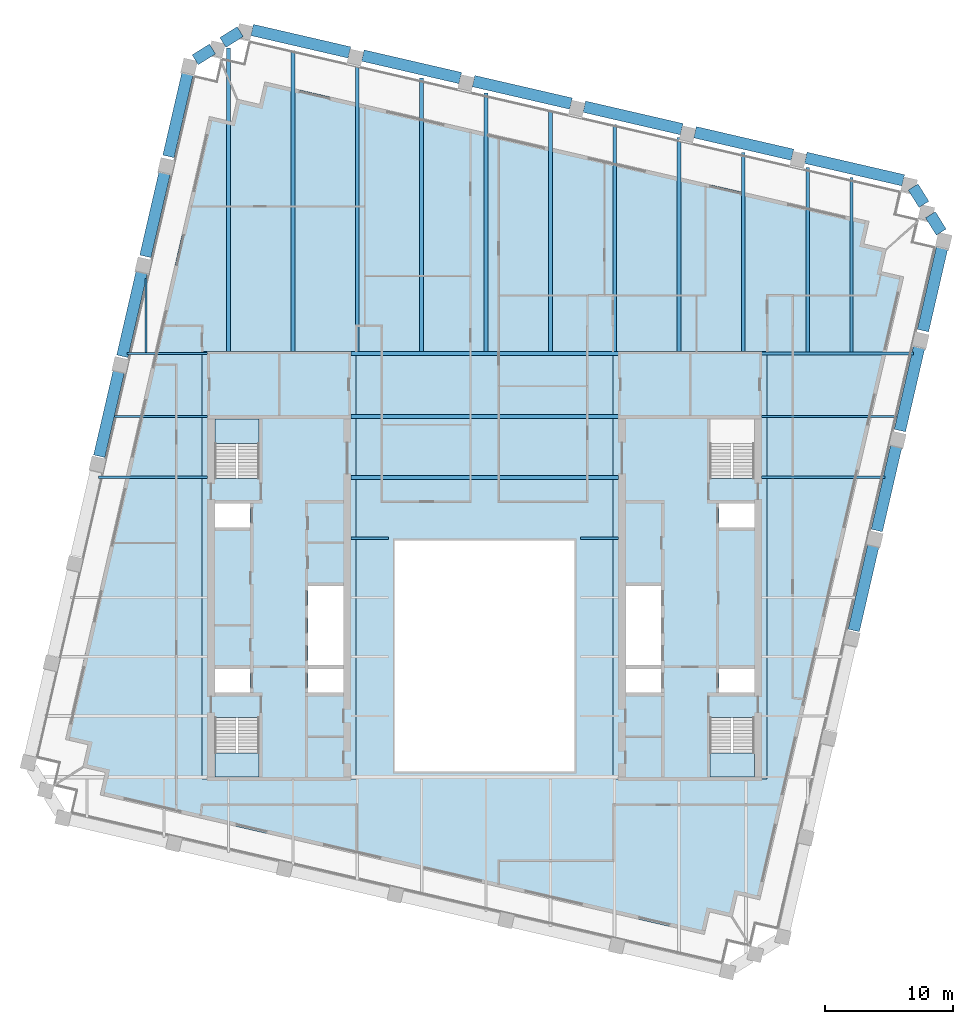
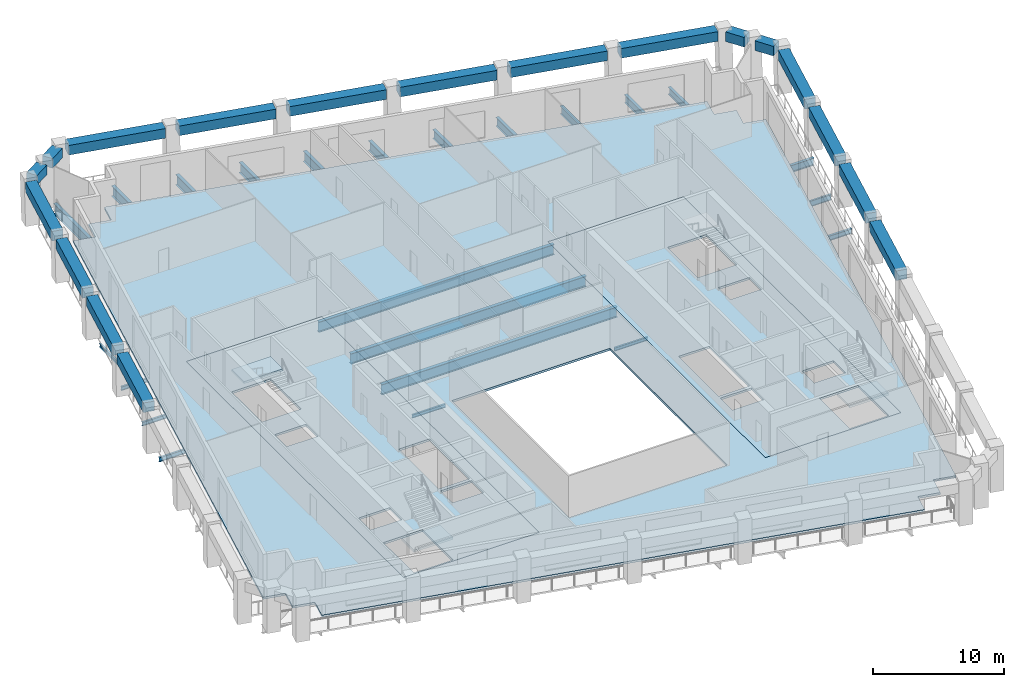
# One storey, part 2 of 11: 41 beams, 6 slabs, 3 elements without a shape of their own.
"""IFC4 building model written with IfcOpenShell, lengths in metres."""

from ifc_helpers import new_model, si_unit, direction, frame, origin, origin_2d, place, context, subcontext, project, spatial, polyline, rectangle, i_section, outline, extrude, material, layer, layer_set, material_profile, profile_set, type_object, element, aggregate, save


model = new_model("IFC4")

# Units and contexts
model_context = context("Model", 3, precision=1e-05, world=origin(), true_north=direction((0.0, 1.0)))
body_context = subcontext(model_context, "Body", "Model", "MODEL_VIEW")
ifc_project = project(units=[si_unit("LENGTHUNIT", "METRE"), si_unit("AREAUNIT", "SQUARE_METRE"), si_unit("VOLUMEUNIT", "CUBIC_METRE"), si_unit("PLANEANGLEUNIT", "RADIAN"), si_unit("MASSUNIT", "GRAM", prefix="KILO")], contexts=[model_context])

# Site, building, storey
site_placement = place(None, origin())
site = spatial("IfcSite", under=ifc_project, at=site_placement, CompositionType="ELEMENT")
building_placement = place(site_placement, origin())
building = spatial("IfcBuilding", under=site, at=building_placement, Name="Ogive Exchange Tower", CompositionType="ELEMENT")
storey_placement = place(building_placement, frame((0.0, 0.0, 247.199951171875)))
storey = spatial("IfcBuildingStorey", under=building, at=storey_placement, Name="L53", CompositionType="ELEMENT", Elevation=247.199951171875)

# Beams
ifc_material_1 = material(Name="Steel ASTM A992 Gr50", Category="steel")
ifc_material_profile_1 = material_profile(ifc_material_1, i_section(OverallWidth=0.300048828125, OverallDepth=0.969970703125, WebThickness=0.01611328125, FlangeThickness=0.02099609375, at=origin_2d()), Name="W1000x222")
ifc_profile_set_1 = profile_set([ifc_material_profile_1], Name="Steel ASTM A992 Gr50")
beam_type_1 = type_object("IfcBeamType", Name="Floor beam W1000x222", PredefinedType="JOIST", material=ifc_profile_set_1)
beam_1_placement = place(storey_placement, frame((0.104248046875, 30.695068359375, -0.68505859375), z_axis=(0.0, 1.0, 0.0), x_axis=(-1.0, 0.0, 0.0)))
element("IfcBeam", 1, at=beam_1_placement, inside=storey, type_object=beam_type_1, Name="Floor beam", PredefinedType="JOIST", context=body_context, shape_type="SweptSolid", body=[
    extrude(i_section(OverallWidth=0.300048828125, OverallDepth=0.969970703125, WebThickness=0.01611328125, FlangeThickness=0.02099609375, at=origin_2d()), origin(), (0.0, 0.0, 1.0), 20.133544921875),
])
ifc_material_profile_2 = material_profile(ifc_material_1, i_section(OverallWidth=0.300048828125, OverallDepth=0.97998046875, WebThickness=0.0166015625, FlangeThickness=0.026123046875, at=origin_2d()), Name="W1000x249")
ifc_profile_set_2 = profile_set([ifc_material_profile_2], Name="Steel ASTM A992 Gr50")
beam_type_2 = type_object("IfcBeamType", Name="Floor beam W1000x249", PredefinedType="JOIST", material=ifc_profile_set_2)
for number, where, z_axis, x_axis, name in (
    (2, (-10.419921875, 20.89990234375, -0.68994140625), (1.0, 0.0, 0.0), (0.0, 1.0, 0.0), "Floor beam"),
    (3, (-10.419921875, 25.64501953125, -0.68994140625), (1.0, 0.0, 0.0), (0.0, 1.0, 0.0), "Floor beam"),
):
    element("IfcBeam", number, at=place(storey_placement, frame(where, z_axis=z_axis, x_axis=x_axis)), inside=storey, type_object=beam_type_2, Name=name, PredefinedType="JOIST", context=body_context, shape_type="SweptSolid", body=[
        extrude(i_section(OverallWidth=0.300048828125, OverallDepth=0.97998046875, WebThickness=0.0166015625, FlangeThickness=0.026123046875, at=origin_2d()), origin(), (0.0, 0.0, 1.0), 20.83984375),
    ])
beam_2_placement = place(storey_placement, frame((-19.943115234375, 30.699951171875, -0.68994140625), z_axis=(0.0, 1.0, 0.0), x_axis=(-1.0, 0.0, 0.0)))
element("IfcBeam", 4, at=beam_2_placement, inside=storey, type_object=beam_type_2, Name="Floor beam", PredefinedType="JOIST", context=body_context, shape_type="SweptSolid", body=[
    extrude(i_section(OverallWidth=0.300048828125, OverallDepth=0.97998046875, WebThickness=0.0166015625, FlangeThickness=0.026123046875, at=origin_2d()), origin(), (0.0, 0.0, 1.0), 23.6328125),
])
beam_3_placement = place(storey_placement, frame((-14.931396484375, 30.699951171875, -0.68994140625), z_axis=(0.0, 1.0, 0.0), x_axis=(-1.0, 0.0, 0.0)))
element("IfcBeam", 5, at=beam_3_placement, inside=storey, type_object=beam_type_2, Name="Floor beam", PredefinedType="JOIST", context=body_context, shape_type="SweptSolid", body=[
    extrude(i_section(OverallWidth=0.300048828125, OverallDepth=0.97998046875, WebThickness=0.0166015625, FlangeThickness=0.026123046875, at=origin_2d()), origin(), (0.0, 0.0, 1.0), 23.449951171875),
])
beam_4_placement = place(storey_placement, frame((-9.91943359375, 30.695068359375, -0.68994140625), z_axis=(0.0, 1.0, 0.0), x_axis=(-1.0, 0.0, 0.0)))
element("IfcBeam", 6, at=beam_4_placement, inside=storey, type_object=beam_type_2, Name="Floor beam", PredefinedType="JOIST", context=body_context, shape_type="SweptSolid", body=[
    extrude(i_section(OverallWidth=0.300048828125, OverallDepth=0.97998046875, WebThickness=0.0166015625, FlangeThickness=0.026123046875, at=origin_2d()), origin(), (0.0, 0.0, 1.0), 22.297607421875),
])
beam_5_placement = place(storey_placement, frame((-4.90771484375, 30.695068359375, -0.68994140625), z_axis=(0.0, 1.0, 0.0), x_axis=(-1.0, 0.0, 0.0)))
element("IfcBeam", 7, at=beam_5_placement, inside=storey, type_object=beam_type_2, Name="Floor beam", PredefinedType="JOIST", context=body_context, shape_type="SweptSolid", body=[
    extrude(i_section(OverallWidth=0.300048828125, OverallDepth=0.97998046875, WebThickness=0.0166015625, FlangeThickness=0.026123046875, at=origin_2d()), origin(), (0.0, 0.0, 1.0), 21.29052734375),
])
ifc_material_profile_3 = material_profile(ifc_material_1, i_section(OverallWidth=0.1650390625, OverallDepth=0.31005859375, WebThickness=0.005859375, FlangeThickness=0.009765625, at=origin_2d()), Name="W310x38.7")
ifc_profile_set_3 = profile_set([ifc_material_profile_3], Name="Steel ASTM A992 Gr50")
beam_type_3 = type_object("IfcBeamType", Name="Floor beam W310x38.7", PredefinedType="JOIST", material=ifc_profile_set_3)
beam_6_placement = place(storey_placement, frame((-26.35498046875, 30.630615234375, -0.35498046875), z_axis=(0.0, 1.0, 0.0), x_axis=(-1.0, 0.0, 0.0)))
element("IfcBeam", 8, at=beam_6_placement, inside=storey, type_object=beam_type_3, Name="Floor beam", PredefinedType="JOIST", context=body_context, shape_type="SweptSolid", body=[
    extrude(i_section(OverallWidth=0.1650390625, OverallDepth=0.31005859375, WebThickness=0.005859375, FlangeThickness=0.009765625, at=origin_2d()), origin(), (0.0, 0.0, 1.0), 5.7421875),
])
ifc_material_profile_4 = material_profile(ifc_material_1, i_section(OverallWidth=0.1708984375, OverallDepth=0.35595703125, WebThickness=0.00732421875, FlangeThickness=0.01171875, at=origin_2d()), Name="W360x51")
ifc_profile_set_4 = profile_set([ifc_material_profile_4], Name="Steel ASTM A992 Gr50")
beam_type_4 = type_object("IfcBeamType", Name="Floor beam W360x51", PredefinedType="JOIST", material=ifc_profile_set_4)
beam_7_placement = place(storey_placement, frame((-28.831787109375, 25.64501953125, -0.3779296875), z_axis=(1.0, 0.0, 0.0), x_axis=(0.0, 1.0, 0.0)))
element("IfcBeam", 9, at=beam_7_placement, inside=storey, type_object=beam_type_4, Name="Floor beam", PredefinedType="JOIST", context=body_context, shape_type="SweptSolid", body=[
    extrude(i_section(OverallWidth=0.1708984375, OverallDepth=0.35595703125, WebThickness=0.00732421875, FlangeThickness=0.01171875, at=origin_2d()), origin(), (0.0, 0.0, 1.0), 7.251708984375),
])
ifc_material_profile_5 = material_profile(ifc_material_1, i_section(OverallWidth=0.177978515625, OverallDepth=0.406005859375, WebThickness=0.0078125, FlangeThickness=0.0126953125, at=origin_2d()), Name="W410x60")
ifc_profile_set_5 = profile_set([ifc_material_profile_5], Name="Steel ASTM A992 Gr50")
beam_type_5 = type_object("IfcBeamType", Name="Floor beam W410x60", PredefinedType="JOIST", material=ifc_profile_set_5)
beam_8_placement = place(storey_placement, frame((-30.0771484375, 20.89990234375, -0.40283203125), z_axis=(1.0, 0.0, 0.0), x_axis=(0.0, 1.0, 0.0)))
element("IfcBeam", 10, at=beam_8_placement, inside=storey, type_object=beam_type_5, Name="Floor beam", PredefinedType="JOIST", context=body_context, shape_type="SweptSolid", body=[
    extrude(i_section(OverallWidth=0.177978515625, OverallDepth=0.406005859375, WebThickness=0.0078125, FlangeThickness=0.0126953125, at=origin_2d()), origin(), (0.0, 0.0, 1.0), 8.4970703125),
])
ifc_material_profile_6 = material_profile(ifc_material_1, i_section(OverallWidth=0.19189453125, OverallDepth=0.4619140625, WebThickness=0.010498046875, FlangeThickness=0.017578125, at=origin_2d()), Name="W460x89")
ifc_profile_set_6 = profile_set([ifc_material_profile_6], Name="Steel ASTM A992 Gr50")
beam_type_6 = type_object("IfcBeamType", Name="Floor beam W460x89", PredefinedType="JOIST", material=ifc_profile_set_6)
beam_9_placement = place(storey_placement, frame((21.580078125, 20.89990234375, -0.430908203125), z_axis=(1.0, 0.0, 0.0), x_axis=(0.0, 1.0, 0.0)))
element("IfcBeam", 11, at=beam_9_placement, inside=storey, type_object=beam_type_6, Name="Floor beam", PredefinedType="JOIST", context=body_context, shape_type="SweptSolid", body=[
    extrude(i_section(OverallWidth=0.19189453125, OverallDepth=0.4619140625, WebThickness=0.010498046875, FlangeThickness=0.017578125, at=origin_2d()), origin(), (0.0, 0.0, 1.0), 9.605224609375),
])
ifc_material_profile_7 = material_profile(ifc_material_1, i_section(OverallWidth=0.1669921875, OverallDepth=0.535888671875, WebThickness=0.01025390625, FlangeThickness=0.0166015625, at=origin_2d()), Name="W530x85")
ifc_profile_set_7 = profile_set([ifc_material_profile_7], Name="Steel ASTM A992 Gr50")
beam_type_7 = type_object("IfcBeamType", Name="Floor beam W530x85", PredefinedType="JOIST", material=ifc_profile_set_7)
beam_10_placement = place(storey_placement, frame((21.580078125, 25.64501953125, -0.468017578125), z_axis=(1.0, 0.0, 0.0), x_axis=(0.0, 1.0, 0.0)))
element("IfcBeam", 12, at=beam_10_placement, inside=storey, type_object=beam_type_7, Name="Floor beam", PredefinedType="JOIST", context=body_context, shape_type="SweptSolid", body=[
    extrude(i_section(OverallWidth=0.1669921875, OverallDepth=0.535888671875, WebThickness=0.01025390625, FlangeThickness=0.0166015625, at=origin_2d()), origin(), (0.0, 0.0, 1.0), 10.55078125),
])
ifc_material_profile_8 = material_profile(ifc_material_1, i_section(OverallWidth=0.25390625, OverallDepth=0.677978515625, WebThickness=0.01171875, FlangeThickness=0.016357421875, at=origin_2d()), Name="W690x125")
ifc_profile_set_8 = profile_set([ifc_material_profile_8], Name="Steel ASTM A992 Gr50")
beam_type_8 = type_object("IfcBeamType", Name="Floor beam W690x125", PredefinedType="JOIST", material=ifc_profile_set_8)
beam_11_placement = place(storey_placement, frame((28.575439453125, 30.672119140625, -0.5390625), z_axis=(0.0, 1.0, 0.0), x_axis=(-1.0, 0.0, 0.0)))
element("IfcBeam", 13, at=beam_11_placement, inside=storey, type_object=beam_type_8, Name="Floor beam", PredefinedType="JOIST", context=body_context, shape_type="SweptSolid", body=[
    extrude(i_section(OverallWidth=0.25390625, OverallDepth=0.677978515625, WebThickness=0.01171875, FlangeThickness=0.016357421875, at=origin_2d()), origin(), (0.0, 0.0, 1.0), 13.583251953125),
])
ifc_material_profile_9 = material_profile(ifc_material_1, i_section(OverallWidth=0.26708984375, OverallDepth=0.75390625, WebThickness=0.01318359375, FlangeThickness=0.01708984375, at=origin_2d()), Name="W760x147")
ifc_profile_set_9 = profile_set([ifc_material_profile_9], Name="Steel ASTM A992 Gr50")
beam_type_9 = type_object("IfcBeamType", Name="Floor beam W760x147", PredefinedType="JOIST", material=ifc_profile_set_9)
beam_12_placement = place(storey_placement, frame((20.151611328125, 30.699951171875, -0.576904296875), z_axis=(0.0, 1.0, 0.0), x_axis=(-1.0, 0.0, 0.0)))
element("IfcBeam", 14, at=beam_12_placement, inside=storey, type_object=beam_type_9, Name="Floor beam", PredefinedType="JOIST", context=body_context, shape_type="SweptSolid", body=[
    extrude(i_section(OverallWidth=0.26708984375, OverallDepth=0.75390625, WebThickness=0.01318359375, FlangeThickness=0.01708984375, at=origin_2d()), origin(), (0.0, 0.0, 1.0), 15.500244140625),
])
beam_13_placement = place(storey_placement, frame((25.16357421875, 30.672119140625, -0.576904296875), z_axis=(0.0, 1.0, 0.0), x_axis=(-1.0, 0.0, 0.0)))
element("IfcBeam", 15, at=beam_13_placement, inside=storey, type_object=beam_type_9, Name="Floor beam", PredefinedType="JOIST", context=body_context, shape_type="SweptSolid", body=[
    extrude(i_section(OverallWidth=0.26708984375, OverallDepth=0.75390625, WebThickness=0.01318359375, FlangeThickness=0.01708984375, at=origin_2d()), origin(), (0.0, 0.0, 1.0), 14.37109375),
])
ifc_material_profile_10 = material_profile(ifc_material_1, i_section(OverallWidth=0.2919921875, OverallDepth=0.8359375, WebThickness=0.013916015625, FlangeThickness=0.018798828125, at=origin_2d()), Name="W840x176")
ifc_profile_set_10 = profile_set([ifc_material_profile_10], Name="Steel ASTM A992 Gr50")
beam_type_10 = type_object("IfcBeamType", Name="Floor beam W840x176", PredefinedType="JOIST", material=ifc_profile_set_10)
beam_14_placement = place(storey_placement, frame((15.139892578125, 30.699951171875, -0.617919921875), z_axis=(0.0, 1.0, 0.0), x_axis=(-1.0, 0.0, 0.0)))
element("IfcBeam", 16, at=beam_14_placement, inside=storey, type_object=beam_type_10, Name="Floor beam", PredefinedType="JOIST", context=body_context, shape_type="SweptSolid", body=[
    extrude(i_section(OverallWidth=0.2919921875, OverallDepth=0.8359375, WebThickness=0.013916015625, FlangeThickness=0.018798828125, at=origin_2d()), origin(), (0.0, 0.0, 1.0), 16.657470703125),
])
ifc_material_profile_11 = material_profile(ifc_material_1, i_section(OverallWidth=0.2919921875, OverallDepth=0.845947265625, WebThickness=0.015380859375, FlangeThickness=0.0244140625, at=origin_2d()), Name="W840x210")
ifc_profile_set_11 = profile_set([ifc_material_profile_11], Name="Steel ASTM A992 Gr50")
beam_type_11 = type_object("IfcBeamType", Name="Floor beam W840x210", PredefinedType="JOIST", material=ifc_profile_set_11)
beam_15_placement = place(storey_placement, frame((10.1279296875, 30.695068359375, -0.623046875), z_axis=(0.0, 1.0, 0.0), x_axis=(-1.0, 0.0, 0.0)))
element("IfcBeam", 17, at=beam_15_placement, inside=storey, type_object=beam_type_11, Name="Floor beam", PredefinedType="JOIST", context=body_context, shape_type="SweptSolid", body=[
    extrude(i_section(OverallWidth=0.2919921875, OverallDepth=0.845947265625, WebThickness=0.015380859375, FlangeThickness=0.0244140625, at=origin_2d()), origin(), (0.0, 0.0, 1.0), 17.66943359375),
])
ifc_material_profile_12 = material_profile(ifc_material_1, i_section(OverallWidth=0.304931640625, OverallDepth=0.904052734375, WebThickness=0.01513671875, FlangeThickness=0.02001953125, at=origin_2d()), Name="W920x201")
ifc_profile_set_12 = profile_set([ifc_material_profile_12], Name="Steel ASTM A992 Gr50")
beam_type_12 = type_object("IfcBeamType", Name="Floor beam W920x201", PredefinedType="JOIST", material=ifc_profile_set_12)
beam_16_placement = place(storey_placement, frame((5.1162109375, 30.695068359375, -0.65185546875), z_axis=(0.0, 1.0, 0.0), x_axis=(-1.0, 0.0, 0.0)))
element("IfcBeam", 18, at=beam_16_placement, inside=storey, type_object=beam_type_12, Name="Floor beam", PredefinedType="JOIST", context=body_context, shape_type="SweptSolid", body=[
    extrude(i_section(OverallWidth=0.304931640625, OverallDepth=0.904052734375, WebThickness=0.01513671875, FlangeThickness=0.02001953125, at=origin_2d()), origin(), (0.0, 0.0, 1.0), 18.826416015625),
])
ifc_material_profile_13 = material_profile(ifc_material_1, i_section(OverallWidth=0.300048828125, OverallDepth=0.97998046875, WebThickness=0.0166015625, FlangeThickness=0.026123046875, at=origin_2d()), Name="W1000x249")
ifc_profile_set_13 = profile_set([ifc_material_profile_13], Name="Steel ASTM A992 Gr50")
beam_type_13 = type_object("IfcBeamType", Name="Girder W1000x249", PredefinedType="BEAM", material=ifc_profile_set_13)
beam_17_placement = place(storey_placement, frame((-10.419921875, 30.544921875, -0.68994140625), z_axis=(1.0, 0.0, 0.0), x_axis=(0.0, 1.0, 0.0)))
element("IfcBeam", 19, at=beam_17_placement, inside=storey, type_object=beam_type_13, Name="Header girder", PredefinedType="BEAM", context=body_context, shape_type="SweptSolid", body=[
    extrude(i_section(OverallWidth=0.300048828125, OverallDepth=0.97998046875, WebThickness=0.0166015625, FlangeThickness=0.026123046875, at=origin_2d()), origin(), (0.0, 0.0, 1.0), 20.83984375),
])
ifc_material_profile_14 = material_profile(ifc_material_1, i_section(OverallWidth=0.1650390625, OverallDepth=0.31005859375, WebThickness=0.005859375, FlangeThickness=0.009765625, at=origin_2d()), Name="W310x38.7")
ifc_profile_set_14 = profile_set([ifc_material_profile_14], Name="Steel ASTM A992 Gr50")
beam_type_14 = type_object("IfcBeamType", Name="Girder W310x38.7", PredefinedType="BEAM", material=ifc_profile_set_14)
for number, where, z_axis, x_axis, name in (
    (20, (-10.419921875, 16.155029296875, -0.35498046875), (1.0, 0.0, 0.0), (0.0, 1.0, 0.0), "Trimmer girder"),
    (21, (7.469970703125, 16.155029296875, -0.35498046875), (1.0, 0.0, 0.0), (0.0, 1.0, 0.0), "Trimmer girder"),
):
    element("IfcBeam", number, at=place(storey_placement, frame(where, z_axis=z_axis, x_axis=x_axis)), inside=storey, type_object=beam_type_14, Name=name, PredefinedType="BEAM", context=body_context, shape_type="SweptSolid", body=[
        extrude(i_section(OverallWidth=0.1650390625, OverallDepth=0.31005859375, WebThickness=0.005859375, FlangeThickness=0.009765625, at=origin_2d()), origin(), (0.0, 0.0, 1.0), 2.949951171875),
    ])
ifc_material_profile_15 = material_profile(ifc_material_1, i_section(OverallWidth=0.1708984375, OverallDepth=0.35595703125, WebThickness=0.00732421875, FlangeThickness=0.01171875, at=origin_2d()), Name="W360x51")
ifc_profile_set_15 = profile_set([ifc_material_profile_15], Name="Steel ASTM A992 Gr50")
beam_type_15 = type_object("IfcBeamType", Name="Girder W360x51", PredefinedType="BEAM", material=ifc_profile_set_15)
beam_18_placement = place(storey_placement, frame((-27.850341796875, 30.544921875, -0.3779296875), z_axis=(1.0, 0.0, 0.0), x_axis=(0.0, 1.0, 0.0)))
element("IfcBeam", 22, at=beam_18_placement, inside=storey, type_object=beam_type_15, Name="Header girder", PredefinedType="BEAM", context=body_context, shape_type="SweptSolid", body=[
    extrude(i_section(OverallWidth=0.1708984375, OverallDepth=0.35595703125, WebThickness=0.00732421875, FlangeThickness=0.01171875, at=origin_2d()), origin(), (0.0, 0.0, 1.0), 6.270263671875),
])
ifc_material_profile_16 = material_profile(ifc_material_1, i_section(OverallWidth=0.25390625, OverallDepth=0.677978515625, WebThickness=0.01171875, FlangeThickness=0.016357421875, at=origin_2d()), Name="W690x125")
ifc_profile_set_16 = profile_set([ifc_material_profile_16], Name="Steel ASTM A992 Gr50")
beam_type_16 = type_object("IfcBeamType", Name="Girder W690x125", PredefinedType="BEAM", material=ifc_profile_set_16)
beam_19_placement = place(storey_placement, frame((21.580078125, 30.544921875, -0.5390625), z_axis=(1.0, 0.0, 0.0), x_axis=(0.0, 1.0, 0.0)))
element("IfcBeam", 23, at=beam_19_placement, inside=storey, type_object=beam_type_16, Name="Header girder", PredefinedType="BEAM", context=body_context, shape_type="SweptSolid", body=[
    extrude(i_section(OverallWidth=0.25390625, OverallDepth=0.677978515625, WebThickness=0.01171875, FlangeThickness=0.016357421875, at=origin_2d()), origin(), (0.0, 0.0, 1.0), 11.83203125),
])
ifc_material_2 = material(Name="Precast concrete C70/85 (limestone faced)", Category="masonry")
ifc_material_profile_17 = material_profile(ifc_material_2, rectangle(XDim=0.89990234375, YDim=0.89990234375, at=origin_2d()), Name="900 x 900")
ifc_profile_set_17 = profile_set([ifc_material_profile_17], Name="Precast concrete C70/85 (limestone faced)")
beam_type_17 = type_object("IfcBeamType", Name="Precast spandrel 900 x 900 C70/85", PredefinedType="SPANDREL", material=ifc_profile_set_17)
beam_20_placement = place(storey_placement, frame((28.745361328125, 8.980712890625, 3.5), z_axis=(0.224965040594, 0.974366835699, 0.0), x_axis=(-0.974366835699, 0.224965040594, 0.0)))
element("IfcBeam", 24, at=beam_20_placement, inside=storey, type_object=beam_type_17, Name="Spandrel 12", PredefinedType="SPANDREL", context=body_context, shape_type="SweptSolid", body=[
    extrude(rectangle(XDim=0.89990234375, YDim=0.89990234375, at=origin_2d()), origin(), (0.0, 0.0, 1.0), 6.927001953125),
])
beam_21_placement = place(storey_placement, frame((30.5419921875, 16.76318359375, 3.5), z_axis=(0.224972766372, 0.974365051914, 0.0), x_axis=(-0.974365051914, 0.224972766372, 0.0)))
element("IfcBeam", 25, at=beam_21_placement, inside=storey, type_object=beam_type_17, Name="Spandrel 13", PredefinedType="SPANDREL", context=body_context, shape_type="SweptSolid", body=[
    extrude(rectangle(XDim=0.89990234375, YDim=0.89990234375, at=origin_2d()), origin(), (0.0, 0.0, 1.0), 6.9267578125),
])
for number, where, z_axis, x_axis, name in (
    (26, (32.3388671875, 24.54541015625, 3.5), (0.224931579484, 0.974374560706, 0.0), (-0.974374560706, 0.224931579484, 0.0), "Spandrel 14"),
    (27, (34.135498046875, 32.32763671875, 3.5), (0.224931579484, 0.974374560706, 0.0), (-0.974374560706, 0.224931579484, 0.0), "Spandrel 15"),
):
    element("IfcBeam", number, at=place(storey_placement, frame(where, z_axis=z_axis, x_axis=x_axis)), inside=storey, type_object=beam_type_17, Name=name, PredefinedType="SPANDREL", context=body_context, shape_type="SweptSolid", body=[
        extrude(rectangle(XDim=0.89990234375, YDim=0.89990234375, at=origin_2d()), origin(), (0.0, 0.0, 1.0), 6.927001953125),
    ])
beam_22_placement = place(storey_placement, frame((35.559814453125, 39.998779296875, 3.5), z_axis=(-0.529902320601, 0.848058683477, 0.0), x_axis=(-0.848058683477, -0.529902320601, 0.0)))
element("IfcBeam", 28, at=beam_22_placement, inside=storey, type_object=beam_type_17, Name="Spandrel 16", PredefinedType="SPANDREL", context=body_context, shape_type="SweptSolid", body=[
    extrude(rectangle(XDim=0.89990234375, YDim=0.89990234375, at=origin_2d()), origin(), (0.0, 0.0, 1.0), 1.590087890625),
])
beam_23_placement = place(storey_placement, frame((34.210693359375, 42.15771484375, 3.5), z_axis=(-0.529971331567, 0.848015558653, 0.0), x_axis=(-0.848015558653, -0.529971331567, 0.0)))
element("IfcBeam", 29, at=beam_23_placement, inside=storey, type_object=beam_type_17, Name="Spandrel 17", PredefinedType="SPANDREL", context=body_context, shape_type="SweptSolid", body=[
    extrude(rectangle(XDim=0.89990234375, YDim=0.89990234375, at=origin_2d()), origin(), (0.0, 0.0, 1.0), 1.58984375),
])
for number, where, z_axis, x_axis, name in (
    (30, (32.5986328125, 44.0302734375, 3.5), (-0.974367949416, 0.224960216819, 0.0), (-0.224960216819, -0.974367949416, 0.0), "Spandrel 18"),
    (31, (23.975341796875, 46.021240234375, 3.5), (-0.974374818602, 0.224930462307, 0.0), (-0.224930462307, -0.974374818602, 0.0), "Spandrel 19"),
    (32, (15.352294921875, 48.011962890625, 3.5), (-0.974367949416, 0.224960216819, 0.0), (-0.224960216819, -0.974367949416, 0.0), "Spandrel 20"),
    (33, (6.72900390625, 50.002685546875, 3.5), (-0.974367949416, 0.224960216819, 0.0), (-0.224960216819, -0.974367949416, 0.0), "Spandrel 21"),
):
    element("IfcBeam", number, at=place(storey_placement, frame(where, z_axis=z_axis, x_axis=x_axis)), inside=storey, type_object=beam_type_17, Name=name, PredefinedType="SPANDREL", context=body_context, shape_type="SweptSolid", body=[
        extrude(rectangle(XDim=0.89990234375, YDim=0.89990234375, at=origin_2d()), origin(), (0.0, 0.0, 1.0), 7.7900390625),
    ])
beam_24_placement = place(storey_placement, frame((-1.89404296875, 51.99365234375, 3.5), z_axis=(-0.974369535382, 0.224953347431, 0.0), x_axis=(-0.224953347431, -0.974369535382, 0.0)))
element("IfcBeam", 34, at=beam_24_placement, inside=storey, type_object=beam_type_17, Name="Spandrel 22", PredefinedType="SPANDREL", context=body_context, shape_type="SweptSolid", body=[
    extrude(rectangle(XDim=0.89990234375, YDim=0.89990234375, at=origin_2d()), origin(), (0.0, 0.0, 1.0), 7.790283203125),
])
beam_25_placement = place(storey_placement, frame((-10.517333984375, 53.984375, 3.5), z_axis=(-0.974367949416, 0.224960216819, 0.0), x_axis=(-0.224960216819, -0.974367949416, 0.0)))
element("IfcBeam", 35, at=beam_25_placement, inside=storey, type_object=beam_type_17, Name="Spandrel 23", PredefinedType="SPANDREL", context=body_context, shape_type="SweptSolid", body=[
    extrude(rectangle(XDim=0.89990234375, YDim=0.89990234375, at=origin_2d()), origin(), (0.0, 0.0, 1.0), 7.7900390625),
])
for number, where, z_axis, x_axis, name in (
    (36, (-19.029296875, 55.602783203125, 3.5), (-0.848058683477, -0.529902320601, 0.0), (0.529902320601, -0.848058683477, 0.0), "Spandrel 24"),
    (37, (-21.18798828125, 54.25390625, 3.5), (-0.848058683477, -0.529902320601, 0.0), (0.529902320601, -0.848058683477, 0.0), "Spandrel 25"),
):
    element("IfcBeam", number, at=place(storey_placement, frame(where, z_axis=z_axis, x_axis=x_axis)), inside=storey, type_object=beam_type_17, Name=name, PredefinedType="SPANDREL", context=body_context, shape_type="SweptSolid", body=[
        extrude(rectangle(XDim=0.89990234375, YDim=0.89990234375, at=origin_2d()), origin(), (0.0, 0.0, 1.0), 1.590087890625),
    ])
for number, where, z_axis, x_axis, name in (
    (38, (-23.060791015625, 52.6416015625, 3.5), (-0.224965040594, -0.974366835699, 0.0), (0.974366835699, -0.224965040594, 0.0), "Spandrel 26"),
    (39, (-24.857421875, 44.859375, 3.5), (-0.224965040594, -0.974366835699, 0.0), (0.974366835699, -0.224965040594, 0.0), "Spandrel 27"),
    (40, (-26.654296875, 37.0771484375, 3.5), (-0.224931579484, -0.974374560706, 0.0), (0.974374560706, -0.224931579484, 0.0), "Spandrel 28"),
    (41, (-28.450927734375, 29.294921875, 3.5), (-0.224931579484, -0.974374560706, 0.0), (0.974374560706, -0.224931579484, 0.0), "Spandrel 29"),
):
    element("IfcBeam", number, at=place(storey_placement, frame(where, z_axis=z_axis, x_axis=x_axis)), inside=storey, type_object=beam_type_17, Name=name, PredefinedType="SPANDREL", context=body_context, shape_type="SweptSolid", body=[
        extrude(rectangle(XDim=0.89990234375, YDim=0.89990234375, at=origin_2d()), origin(), (0.0, 0.0, 1.0), 6.927001953125),
    ])

# Slabs
ifc_material_3 = material(Name="Concrete C50/60", Category="concrete")
ifc_layer_1 = layer(ifc_material_3, 0.199951171875)
ifc_layer_set_1 = layer_set([ifc_layer_1], Name="Composite floor slab 200")
slab_type_1 = type_object("IfcSlabType", Name="Composite floor slab 200", PredefinedType="FLOOR", material=ifc_layer_set_1)
slab_1_placement = place(storey_placement, frame((0.0, 0.0, -0.199951171875)))
element("IfcSlab", 42, at=slab_1_placement, inside=storey, type_object=slab_type_1, Name="Composite floor slab", PredefinedType="FLOOR", context=body_context, shape_type="SweptSolid", body=[
    extrude(outline(polyline([(-29.537109375, -2.0830078125), (-31.291015625, -1.67822265625), (-30.88623046875, 0.07568359375), (-32.64013671875, 0.480712890625), (-21.4375, 49.004150390625), (-19.68359375, 48.599365234375), (-19.27880859375, 50.353271484375), (-17.52490234375, 49.9482421875), (-17.119873046875, 51.7021484375), (29.942138671875, 40.8369140625), (29.537109375, 39.0830078125), (31.291015625, 38.67822265625), (30.88623046875, 36.92431640625), (32.64013671875, 36.519287109375), (21.4375, -12.004150390625), (19.68359375, -11.599365234375), (19.27880859375, -13.353271484375), (17.52490234375, -12.9482421875), (17.119873046875, -14.7021484375), (-29.942138671875, -3.8369140625), (-29.537109375, -2.0830078125)]), holes=[polyline([(7.0, -2.0), (7.0, 16.0), (-7.0, 16.0), (-7.0, -2.0), (7.0, -2.0)]), polyline([(-22.0, -2.60009765625), (-10.0, -2.60009765625), (-10.0, 30.699951171875), (-22.0, 30.699951171875), (-22.0, -2.60009765625)]), polyline([(10.0, -2.60009765625), (22.0, -2.60009765625), (22.0, 30.699951171875), (10.0, 30.699951171875), (10.0, -2.60009765625)])]), origin(), (0.0, 0.0, 1.0), 0.199951171875),
])
ifc_material_4 = material(Name="Concrete C70/85", Category="concrete")
ifc_layer_2 = layer(ifc_material_4, 0.199951171875)
ifc_layer_set_2 = layer_set([ifc_layer_2], Name="Core floor slab 200")
slab_type_2 = type_object("IfcSlabType", Name="Core floor slab 200", PredefinedType="FLOOR", material=ifc_layer_set_2)
slab_2_placement = place(storey_placement, frame((0.0, 0.0, -0.199951171875)))
element("IfcSlab", 43, at=slab_2_placement, inside=storey, type_object=slab_type_2, Name="Core floor slab", PredefinedType="FLOOR", context=body_context, shape_type="SweptSolid", body=[
    extrude(outline(polyline([(-22.0, -2.60009765625), (-22.0, 30.699951171875), (-10.0, 30.699951171875), (-10.0, -2.60009765625), (-22.0, -2.60009765625)]), holes=[polyline([(-17.550048828125, 2.196044921875), (-21.0, 2.196044921875), (-21.0, -2.449951171875), (-17.550048828125, -2.449951171875), (-17.550048828125, 2.196044921875)]), polyline([(-18.25, 5.992919921875), (-21.0, 5.992919921875), (-21.0, 4.14990234375), (-18.25, 4.14990234375), (-18.25, 5.992919921875)]), polyline([(-11.0, 5.992919921875), (-13.75, 5.992919921875), (-13.75, 4.14990234375), (-11.0, 4.14990234375), (-11.0, 5.992919921875)]), polyline([(-13.75, 12.42138671875), (-13.75, 6.29296875), (-11.0, 6.29296875), (-11.0, 12.42138671875), (-13.75, 12.42138671875)]), polyline([(-18.25, 18.85009765625), (-21.0, 18.85009765625), (-21.0, 17.007080078125), (-18.25, 17.007080078125), (-18.25, 18.85009765625)]), polyline([(-21.0, 25.449951171875), (-21.0, 20.803955078125), (-17.550048828125, 20.803955078125), (-17.550048828125, 25.449951171875), (-21.0, 25.449951171875)])]), origin(), (0.0, 0.0, 1.0), 0.199951171875),
])
slab_3_placement = place(storey_placement, frame((0.0, 0.0, -0.199951171875)))
element("IfcSlab", 44, at=slab_3_placement, inside=storey, type_object=slab_type_2, Name="Core floor slab", PredefinedType="FLOOR", context=body_context, shape_type="SweptSolid", body=[
    extrude(outline(polyline([(10.0, -2.60009765625), (10.0, 30.699951171875), (22.0, 30.699951171875), (22.0, -2.60009765625), (10.0, -2.60009765625)]), holes=[polyline([(21.0, 2.196044921875), (17.550048828125, 2.196044921875), (17.550048828125, -2.449951171875), (21.0, -2.449951171875), (21.0, 2.196044921875)]), polyline([(13.75, 5.992919921875), (11.0, 5.992919921875), (11.0, 4.14990234375), (13.75, 4.14990234375), (13.75, 5.992919921875)]), polyline([(21.0, 5.992919921875), (18.25, 5.992919921875), (18.25, 4.14990234375), (21.0, 4.14990234375), (21.0, 5.992919921875)]), polyline([(11.0, 12.42138671875), (11.0, 6.29296875), (13.75, 6.29296875), (13.75, 12.42138671875), (11.0, 12.42138671875)]), polyline([(21.0, 18.85009765625), (18.25, 18.85009765625), (18.25, 17.007080078125), (21.0, 17.007080078125), (21.0, 18.85009765625)]), polyline([(17.550048828125, 25.449951171875), (17.550048828125, 20.803955078125), (21.0, 20.803955078125), (21.0, 25.449951171875), (17.550048828125, 25.449951171875)])]), origin(), (0.0, 0.0, 1.0), 0.199951171875),
])

# Stair, slab
ifc_material_5 = material(Name="Concrete C40/50", Category="concrete")
stair_type = type_object("IfcStairType", Name="Exit stair 1650 wide", PredefinedType="HALF_TURN_STAIR", material=ifc_material_5)
stair_1_placement = place(storey_placement, origin())
stair_1 = element("IfcStair", 45, at=stair_1_placement, inside=storey, type_object=stair_type, Name="L53 exit stair ST1", PredefinedType="HALF_TURN_STAIR")
ifc_layer_3 = layer(ifc_material_5, 0.199951171875)
ifc_layer_set_3 = layer_set([ifc_layer_3], Name="Stair landing 200 slab")
slab_type_3 = type_object("IfcSlabType", Name="Stair landing 200 slab", PredefinedType="LANDING", material=ifc_layer_set_3)
slab_4_placement = place(storey_placement, frame((0.0, 0.0, 1.900146484375)))
slab_4 = element("IfcSlab", 46, at=slab_4_placement, type_object=slab_type_3, Name="ST1 landing 1", PredefinedType="LANDING", context=body_context, shape_type="SweptSolid", body=[
    extrude(outline(polyline([(-21.0, -0.550048828125), (-21.0, -2.449951171875), (-17.550048828125, -2.449951171875), (-17.550048828125, -0.550048828125), (-21.0, -0.550048828125)])), origin(), (0.0, 0.0, 1.0), 0.199951171875),
])
aggregate(stair_1, [slab_4])

stair_2_placement = place(storey_placement, origin())
stair_2 = element("IfcStair", 47, at=stair_2_placement, inside=storey, type_object=stair_type, Name="L53 exit stair ST2", PredefinedType="HALF_TURN_STAIR")
slab_5_placement = place(storey_placement, frame((0.0, 0.0, 1.900146484375)))
slab_5 = element("IfcSlab", 48, at=slab_5_placement, type_object=slab_type_3, Name="ST2 landing 1", PredefinedType="LANDING", context=body_context, shape_type="SweptSolid", body=[
    extrude(outline(polyline([(-17.550048828125, 23.550048828125), (-17.550048828125, 25.449951171875), (-21.0, 25.449951171875), (-21.0, 23.550048828125), (-17.550048828125, 23.550048828125)])), origin(), (0.0, 0.0, 1.0), 0.199951171875),
])
aggregate(stair_2, [slab_5])

stair_3_placement = place(storey_placement, origin())
stair_3 = element("IfcStair", 49, at=stair_3_placement, inside=storey, type_object=stair_type, Name="L53 exit stair ST3", PredefinedType="HALF_TURN_STAIR")
slab_6_placement = place(storey_placement, frame((0.0, 0.0, 1.900146484375)))
slab_6 = element("IfcSlab", 50, at=slab_6_placement, type_object=slab_type_3, Name="ST3 landing 1", PredefinedType="LANDING", context=body_context, shape_type="SweptSolid", body=[
    extrude(outline(polyline([(17.550048828125, -0.550048828125), (17.550048828125, -2.449951171875), (21.0, -2.449951171875), (21.0, -0.550048828125), (17.550048828125, -0.550048828125)])), origin(), (0.0, 0.0, 1.0), 0.199951171875),
])
aggregate(stair_3, [slab_6])

save(model, "model.ifc")
